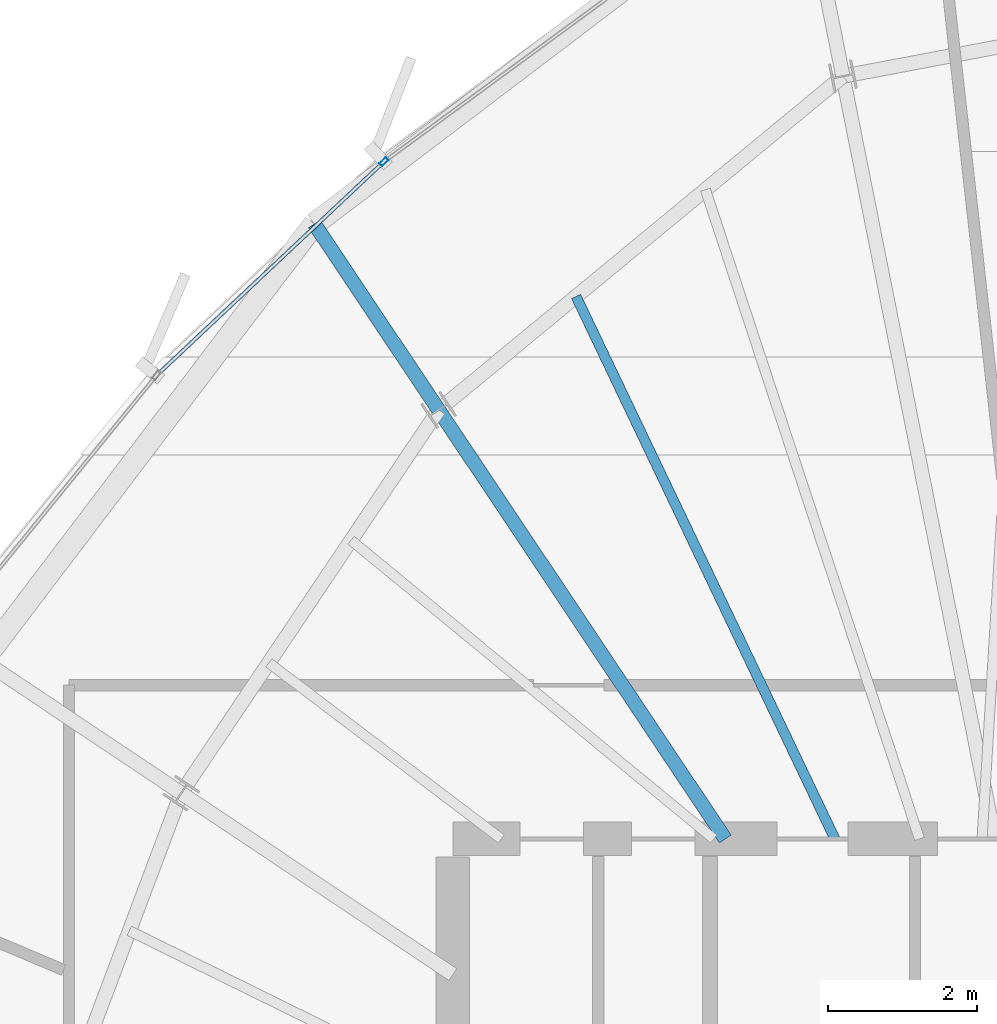
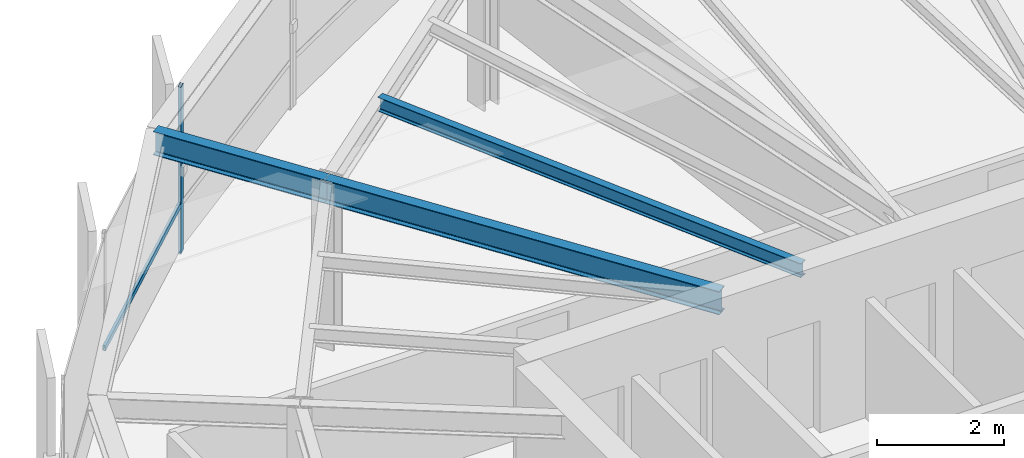
# One storey, part 19 of 33: 3 beams, 2 members, 1 element without a shape of its own.
"""IFC4 building model written with IfcOpenShell, lengths in metres."""

from ifc_helpers import new_model, si_unit, direction, frame, origin, origin_2d, place, context, subcontext, project, spatial, hollow_rectangle, i_section, extrude, source, transform, mapped, material, layer, layer_set, material_profile, profile_set, type_object, element, aggregate, save


model = new_model("IFC4")

# Units and contexts
model_context = context("Model", 3, precision=1e-05, world=origin(), true_north=direction((0.0, 1.0)))
body_context = subcontext(model_context, "Body", "Model", "MODEL_VIEW")
ifc_project = project(units=[si_unit("LENGTHUNIT", "METRE"), si_unit("AREAUNIT", "SQUARE_METRE"), si_unit("VOLUMEUNIT", "CUBIC_METRE"), si_unit("PLANEANGLEUNIT", "RADIAN"), si_unit("MASSUNIT", "GRAM", prefix="KILO"), si_unit("THERMODYNAMICTEMPERATUREUNIT", "KELVIN")], contexts=[model_context])

# Site, building, storey
site_placement = place(None, origin())
site = spatial("IfcSite", under=ifc_project, at=site_placement, CompositionType="ELEMENT")
building_placement = place(site_placement, origin())
building = spatial("IfcBuilding", under=site, at=building_placement, Name="Kethvar Cultural Tower", CompositionType="ELEMENT")
storey_placement = place(building_placement, frame((0.0, 0.0, 256.0)))
storey = spatial("IfcBuildingStorey", under=building, at=storey_placement, Name="L67", CompositionType="ELEMENT", Elevation=256.0)

# Beams
ifc_material_1 = material(Name="Steel S355J2", Category="steel")
ifc_material_profile_1 = material_profile(ifc_material_1, i_section(OverallWidth=0.18994140625, OverallDepth=0.449951171875, WebThickness=0.009521484375, FlangeThickness=0.0146484375, FilletRadius=0.02099609375, at=origin_2d()), Name="Steel S355J2 — IPE450")
ifc_profile_set_1 = profile_set([ifc_material_profile_1], Name="Steel S355J2 — IPE450")
beam_type_1 = type_object("IfcBeamType", Name="BM-IPE450", PredefinedType="BEAM", material=ifc_profile_set_1)
shared_shape_1 = source(origin(), body_context, "Body", "SweptSolid", [
    extrude(i_section(OverallWidth=0.18994140625, OverallDepth=0.449951171875, WebThickness=0.009521484375, FlangeThickness=0.0146484375, FilletRadius=0.02099609375, at=origin_2d()), origin(), (0.0, 0.0, 1.0), 6.921630859375),
])
beam_1_placement = place(storey_placement, frame((41.655029296875, 35.5, 2.98291015625), z_axis=(-0.555570841874, 0.831469205479, 0.0), x_axis=(-0.831469205479, -0.555570841874, 0.0)))
element("IfcBeam", 1, at=beam_1_placement, inside=storey, type_object=beam_type_1, Name="L67 Primary Radial Beam RB-06", PredefinedType="BEAM", context=body_context, shape_type="MappedRepresentation", body=[
    mapped(shared_shape_1, transform((0.0, 0.0, 0.0), scale=1.0)),
])
ifc_material_profile_2 = material_profile(ifc_material_1, i_section(OverallWidth=0.135009765625, OverallDepth=0.27001953125, WebThickness=0.006591796875, FlangeThickness=0.01025390625, FilletRadius=0.014892578125, at=origin_2d()), Name="Steel S355J2 — IPE270")
ifc_profile_set_2 = profile_set([ifc_material_profile_2], Name="Steel S355J2 — IPE270")
beam_type_2 = type_object("IfcBeamType", Name="BM-J270", PredefinedType="JOIST", material=ifc_profile_set_2)
shared_shape_2 = source(origin(), body_context, "Body", "SweptSolid", [
    extrude(i_section(OverallWidth=0.135009765625, OverallDepth=0.27001953125, WebThickness=0.006591796875, FlangeThickness=0.01025390625, FilletRadius=0.014892578125, at=origin_2d()), origin(), (0.0, 0.0, 1.0), 8.063232421875),
])
beam_2_placement = place(storey_placement, frame((43.1259765625, 35.5, 3.072998046875), z_axis=(-0.430642151588, 0.902522762746, 0.0), x_axis=(-0.902522762746, -0.430642151588, 0.0)))
element("IfcBeam", 2, at=beam_2_placement, inside=storey, type_object=beam_type_2, Name="L67 Composite Floor Joist J-05B", PredefinedType="JOIST", context=body_context, shape_type="MappedRepresentation", body=[
    mapped(shared_shape_2, transform((0.0, 0.0, 0.0), scale=1.0)),
])
shared_shape_3 = source(origin(), body_context, "Body", "SweptSolid", [
    extrude(i_section(OverallWidth=0.18994140625, OverallDepth=0.449951171875, WebThickness=0.009521484375, FlangeThickness=0.0146484375, FilletRadius=0.02099609375, at=origin_2d()), origin(), (0.0, 0.0, 1.0), 3.001953125),
])
beam_3_placement = place(storey_placement, frame((37.8095703125, 41.255126953125, 2.98291015625), z_axis=(-0.555544459674, 0.831486832924, 0.0), x_axis=(-0.831486832924, -0.555544459674, 0.0)))
element("IfcBeam", 3, at=beam_3_placement, inside=storey, type_object=beam_type_1, Name="L67 Perimeter Cantilever Beam RC-06", PredefinedType="BEAM", context=body_context, shape_type="MappedRepresentation", body=[
    mapped(shared_shape_3, transform((0.0, 0.0, 0.0), scale=1.0)),
])

# Curtain wall, members
ifc_material_2 = material(Name="Aluminium 6063-T6", Category="aluminium")
ifc_layer = layer(ifc_material_2, 0.179931640625, Name="Aluminium 6063-T6", Category="aluminium")
ifc_layer_set = layer_set([ifc_layer], Name="Aluminium 6063-T6 (180 mm)")
curtain_wall_type = type_object("IfcCurtainWallType", Name="CW-SYS-05-Z56", PredefinedType="NOTDEFINED", material=ifc_layer_set)
curtain_wall_placement = place(storey_placement, origin())
curtain_wall = element("IfcCurtainWall", 4, at=curtain_wall_placement, inside=storey, type_object=curtain_wall_type, Name="L67 Curtain Wall Run 02", PredefinedType="NOTDEFINED")
ifc_material_profile_3 = material_profile(ifc_material_2, hollow_rectangle(XDim=0.054931640625, YDim=0.1201171875, WallThickness=0.00390625, at=origin_2d()), Name="Aluminium 6063-T6 — RHS120x55x4")
ifc_profile_set_3 = profile_set([ifc_material_profile_3], Name="Aluminium 6063-T6 — RHS120x55x4")
member_type_1 = type_object("IfcMemberType", Name="CW-SYS-05-Z56-MUL", PredefinedType="MULLION", material=ifc_profile_set_3)
shared_shape_4 = source(origin(), body_context, "Body", "SweptSolid", [
    extrude(hollow_rectangle(XDim=0.054931640625, YDim=0.1201171875, WallThickness=0.00390625, at=origin_2d()), origin(), (0.0, 0.0, 1.0), 3.2099609375),
])
member_1_placement = place(storey_placement, frame((37.07568359375, 44.585693359375, 0.0), z_axis=(0.0, 0.0, 1.0), x_axis=(0.684928699156, -0.728610099486, 0.0)))
member_1 = element("IfcMember", 5, at=member_1_placement, type_object=member_type_1, Name="CW-L67-R02 Mullion 2", PredefinedType="MULLION", context=body_context, shape_type="MappedRepresentation", body=[
    mapped(shared_shape_4, transform((0.0, 0.0, 0.0), scale=1.0)),
])
ifc_material_profile_4 = material_profile(ifc_material_2, hollow_rectangle(XDim=0.050048828125, YDim=0.10009765625, WallThickness=0.00390625, at=origin_2d()), Name="Aluminium 6063-T6 — RHS100x50x4")
ifc_profile_set_4 = profile_set([ifc_material_profile_4], Name="Aluminium 6063-T6 — RHS100x50x4")
member_type_2 = type_object("IfcMemberType", Name="CW-SYS-05-Z56-TRN", PredefinedType="USERDEFINED", material=ifc_profile_set_4)
shared_shape_5 = source(origin(), body_context, "Body", "SweptSolid", [
    extrude(hollow_rectangle(XDim=0.050048828125, YDim=0.10009765625, WallThickness=0.00390625, at=origin_2d()), origin(), (0.0, 0.0, 1.0), 4.123291015625),
])
member_2_placement = place(storey_placement, frame((37.046875, 44.55859375, 0.949951171875), z_axis=(-0.728646579828, -0.684889890205, 0.0), x_axis=(0.684889890205, -0.728646579828, 0.0)))
member_2 = element("IfcMember", 6, at=member_2_placement, type_object=member_type_2, Name="CW-L67-R02 Transom 2", ObjectType="TRANSOM", PredefinedType="USERDEFINED", context=body_context, shape_type="MappedRepresentation", body=[
    mapped(shared_shape_5, transform((0.0, 0.0, 0.0), scale=1.0)),
])
aggregate(curtain_wall, [member_1, member_2])

save(model, "model.ifc")
